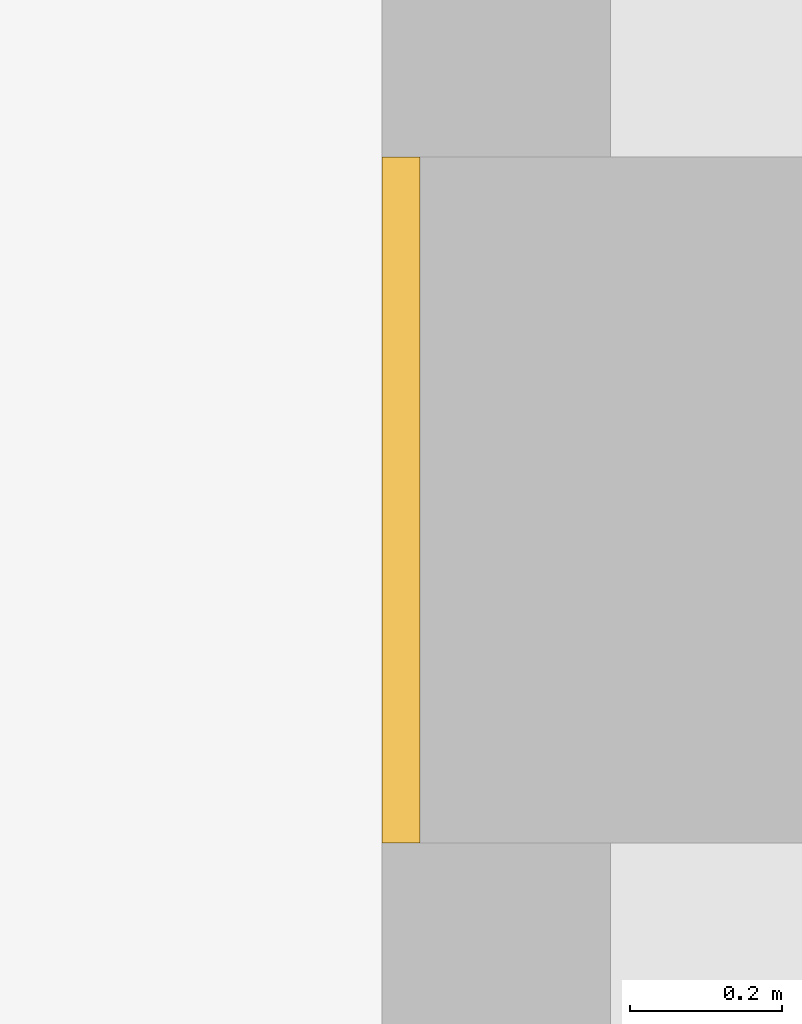
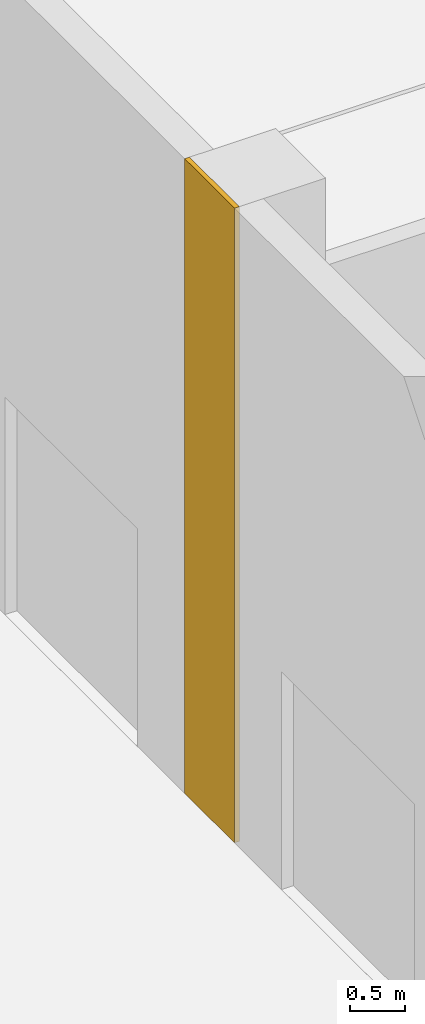
# One storey, part 61 of 92: 1 covering.
"""IFC4 building model written with IfcOpenShell, lengths in metres."""

from ifc_helpers import new_model, si_unit, direction, origin, place, context, subcontext, project, spatial, polyline, outline, extrude, material, layer, layer_set, type_object, element, save


model = new_model("IFC4")

# Units and contexts
model_context = context("Model", 3, precision=1e-05, world=origin(), true_north=direction((0.0, 1.0)))
body_context = subcontext(model_context, "Body", "Model", "MODEL_VIEW")
ifc_project = project(units=[si_unit("LENGTHUNIT", "METRE"), si_unit("AREAUNIT", "SQUARE_METRE"), si_unit("VOLUMEUNIT", "CUBIC_METRE"), si_unit("PLANEANGLEUNIT", "RADIAN"), si_unit("MASSUNIT", "GRAM", prefix="KILO")], contexts=[model_context])

# Site, building, storey
site_placement = place(None, origin())
site = spatial("IfcSite", under=ifc_project, at=site_placement, CompositionType="ELEMENT")
building_placement = place(site_placement, origin())
building = spatial("IfcBuilding", under=site, at=building_placement, Name="Silverbay Arena", CompositionType="ELEMENT")
storey_placement = place(building_placement, origin())
storey = spatial("IfcBuildingStorey", under=building, at=storey_placement, Name="L00", CompositionType="ELEMENT", Elevation=0.0)

# Covering
ifc_material = material(Name="Aluminium composite cladding", Category="aluminium")
ifc_layer = layer(ifc_material, 0.050048828125)
ifc_layer_set = layer_set([ifc_layer], Name="Aluminium composite cladding")
covering_type = type_object("IfcCoveringType", Name="Column cladding 50", PredefinedType="CLADDING", material=ifc_layer_set)
covering_placement = place(storey_placement, origin())
element("IfcCovering", 1, at=covering_placement, inside=storey, type_object=covering_type, Name="West column cladding L00 32", PredefinedType="CLADDING", context=body_context, shape_type="SweptSolid", body=[
    extrude(outline(polyline([(26.5, 71.550048828125), (26.550048828125, 71.550048828125), (26.550048828125, 72.449951171875), (26.5, 72.449951171875), (26.5, 71.550048828125)])), origin(), (0.0, 0.0, 1.0), 7.0),
])

save(model, "model.ifc")
